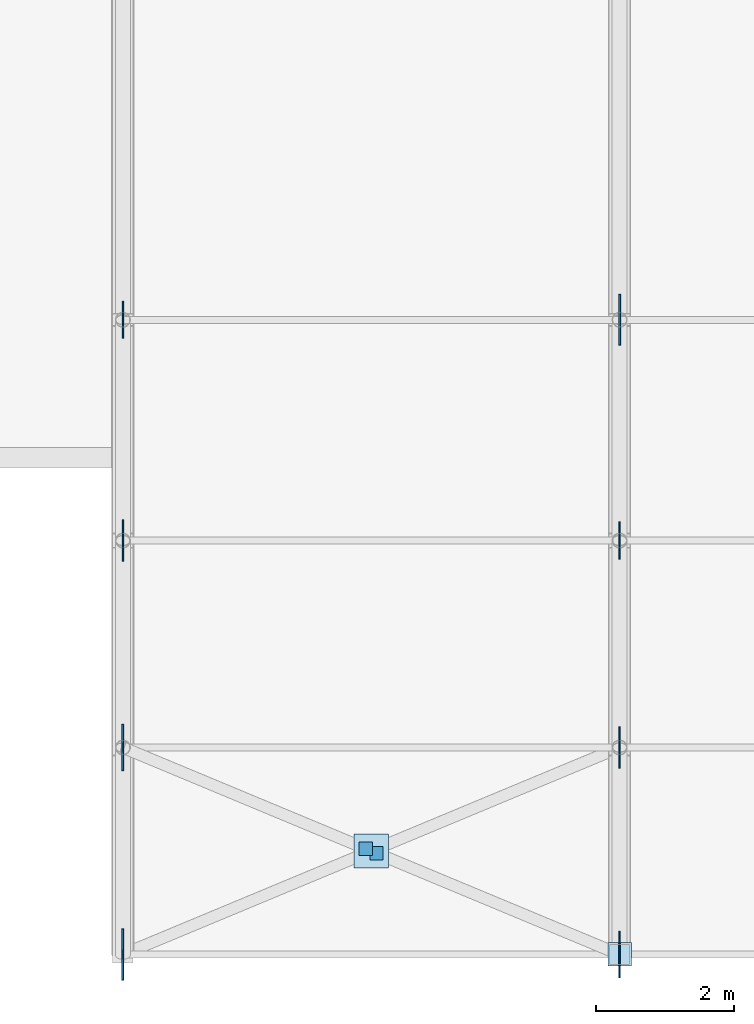
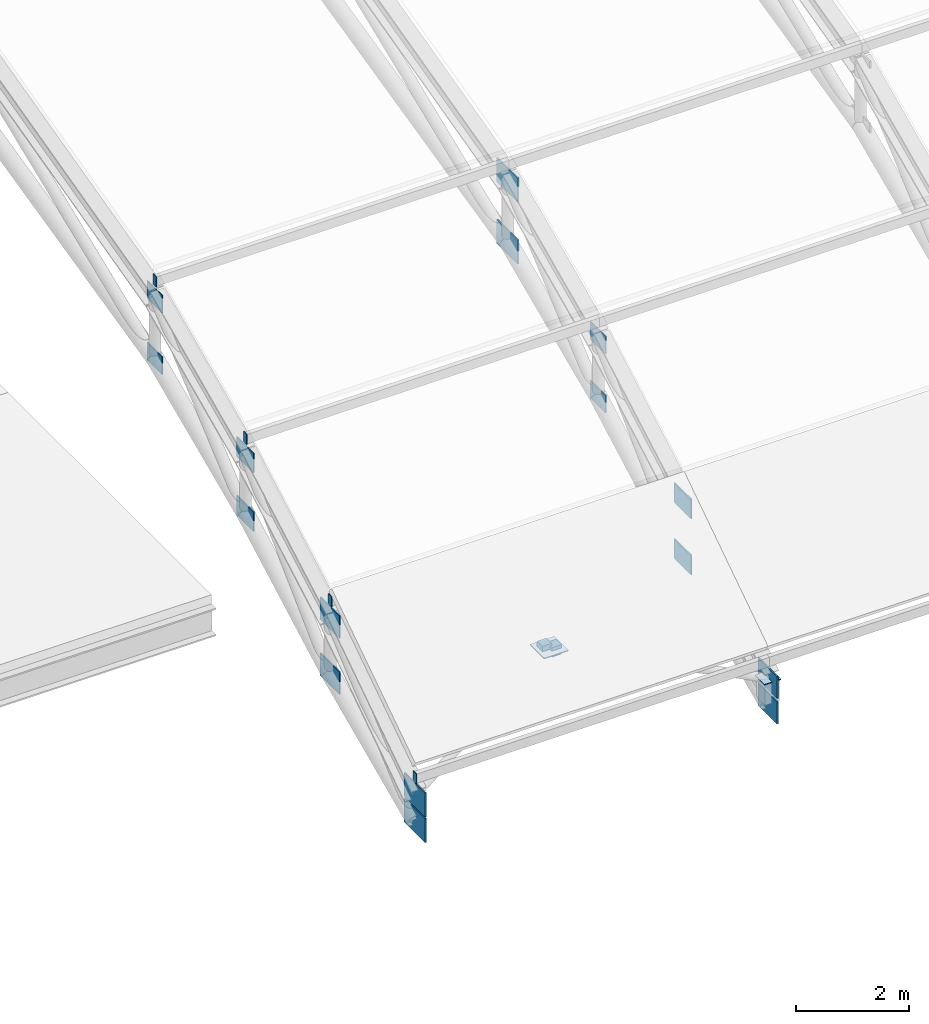
# One storey, part 43 of 63: 24 plates.
"""IFC4 building model written with IfcOpenShell, lengths in metres."""

import ifcopenshell
import ifcopenshell.guid

model = None  # the IFC model being written
_history = None  # IfcOwnerHistory: only IFC2X3 demands one
_inside = {}  # id of a spatial element -> (the spatial element, [elements in it])
_under = {}  # id of a project, library or spatial element -> (it, [spatial elements below it])
_declared = {}  # id of a project -> (the project, [libraries it declares])
_typed = {}  # id of a type object -> (the type object, [elements of that type])
_made_of = {}  # id of a material, layer set ... -> (it, [elements and type objects made of it])


def new_model(schema):
    """Start an empty IFC model of exactly this schema.

    Asked for "IFC4X3", IfcOpenShell would pick the latest addendum, in which some entities
    have other attributes; the version numbers below select the first issue.
    IFC2X3 requires an IfcOwnerHistory on every rooted entity: one is made here for all.
    """
    global model, _history
    if schema == "IFC4X3":
        model = ifcopenshell.file(schema_version=(4, 3, 0, 0))
    else:
        model = ifcopenshell.file(schema=schema)
    _inside.clear()
    _under.clear()
    _declared.clear()
    _typed.clear()
    _made_of.clear()
    _history = None
    if model.schema == "IFC2X3":
        org = make("IfcOrganization", Name="unknown")
        user = make(
            "IfcPersonAndOrganization",
            ThePerson=make("IfcPerson", FamilyName="unknown"),
            TheOrganization=org,
        )
        app = make(
            "IfcApplication",
            ApplicationDeveloper=org,
            Version="unknown",
            ApplicationFullName="unknown",
            ApplicationIdentifier="unknown",
        )
        _history = make(
            "IfcOwnerHistory",
            OwningUser=user,
            OwningApplication=app,
            ChangeAction="ADDED",
            CreationDate=0,
        )
    return model


def make(cls, **values):
    """One entity of the class cls with the attributes given. An attribute that is None is left unset."""
    return model.create_entity(
        cls, **{name: value for name, value in values.items() if value is not None}
    )


def rooted(cls, **values):
    """An entity with a GlobalId (a new one), such as an element, a storey or a relation."""
    return make(cls, GlobalId=ifcopenshell.guid.new(), OwnerHistory=_history, **values)


def si_unit(unit_type, name, prefix=None):
    """IfcSIUnit, for example si_unit("LENGTHUNIT", "METRE", prefix="MILLI")."""
    return make("IfcSIUnit", UnitType=unit_type, Prefix=prefix, Name=name)


def assignment(units):
    """IfcUnitAssignment: the units of a project."""
    return None if units is None else make("IfcUnitAssignment", Units=units)


def point(xyz):
    """IfcCartesianPoint."""
    return None if xyz is None else make("IfcCartesianPoint", Coordinates=xyz)


def direction(xyz):
    """IfcDirection."""
    return None if xyz is None else make("IfcDirection", DirectionRatios=xyz)


def frame(location, z_axis=None, x_axis=None):
    """IfcAxis2Placement3D, a coordinate frame: its origin and axes. An axis left out is left unset."""
    return make(
        "IfcAxis2Placement3D",
        Location=point(location),
        Axis=direction(z_axis),
        RefDirection=direction(x_axis),
    )


def frame_2d(location, x_axis=None):
    """IfcAxis2Placement2D, a coordinate frame in the plane: its origin and x axis."""
    return make(
        "IfcAxis2Placement2D", Location=point(location), RefDirection=direction(x_axis)
    )


def origin():
    """The frame at (0, 0, 0) with its axes left unset."""
    return frame((0.0, 0.0, 0.0))


def origin_2d():
    """The frame at (0, 0) in the plane with its x axis left unset."""
    return frame_2d((0.0, 0.0))


def place(relative_to, where):
    """IfcLocalPlacement: puts the frame where relative to a parent placement (None: the world)."""
    return make(
        "IfcLocalPlacement", PlacementRelTo=relative_to, RelativePlacement=where
    )


def context(
    kind, dimensions, precision=None, world=None, true_north=None, identifier=None
):
    """IfcGeometricRepresentationContext, for example the 3D "Model" context."""
    return make(
        "IfcGeometricRepresentationContext",
        ContextIdentifier=identifier,
        ContextType=kind,
        CoordinateSpaceDimension=dimensions,
        Precision=precision,
        WorldCoordinateSystem=world,
        TrueNorth=true_north,
    )


def subcontext(parent, identifier, kind, view, scale=None):
    """IfcGeometricRepresentationSubContext, for example "Body" below "Model"."""
    return make(
        "IfcGeometricRepresentationSubContext",
        ContextIdentifier=identifier,
        ContextType=kind,
        ParentContext=parent,
        TargetScale=scale,
        TargetView=view,
    )


def project(units=None, contexts=None):
    """IfcProject with its units and contexts."""
    return rooted(
        "IfcProject",
        Name="project",
        RepresentationContexts=contexts,
        UnitsInContext=assignment(units),
    )


def spatial(cls, under=None, at=None, **own):
    """A site, building, storey or space (cls), placed at a placement, below another one or the project."""
    s = rooted(cls, ObjectPlacement=at, **own)
    if under is not None:
        _under.setdefault(under.id(), (under, []))[1].append(s)
    return s


def profile(cls, at=None, kind="AREA", **sizes):
    """A parametric profile (cls). Its sizes go by their IFC names, for example OverallWidth=200.0."""
    return make(cls, ProfileType=kind, Position=at, **sizes)


def rectangle(**sizes):
    """IfcRectangleProfileDef."""
    return profile("IfcRectangleProfileDef", **sizes)


def extrude(swept, where, along, depth):
    """IfcExtrudedAreaSolid: the profile swept, set in the frame where, extruded along a direction by depth."""
    return make(
        "IfcExtrudedAreaSolid",
        SweptArea=swept,
        Position=where,
        ExtrudedDirection=direction(along),
        Depth=depth,
    )


def shape(context_of_items, identifier, shape_type, items):
    """IfcShapeRepresentation: the items that make up one representation, for example the "Body"."""
    return make(
        "IfcShapeRepresentation",
        ContextOfItems=context_of_items,
        RepresentationIdentifier=identifier,
        RepresentationType=shape_type,
        Items=items,
    )


def material(Name=None, Category=None):
    """IfcMaterial."""
    return make("IfcMaterial", Name=Name, Category=Category)


def layer(
    of_material, thickness, ventilated=None, Name=None, Category=None, Priority=None
):
    """IfcMaterialLayer: one layer of a wall or slab, of a material (None: an air gap)."""
    return make(
        "IfcMaterialLayer",
        Material=of_material,
        LayerThickness=thickness,
        IsVentilated=ventilated,
        Name=Name,
        Category=Category,
        Priority=Priority,
    )


def layer_set(layers, Name=None):
    """IfcMaterialLayerSet."""
    return make("IfcMaterialLayerSet", MaterialLayers=layers, LayerSetName=Name)


def made_of(thing, what):
    """Note that an element or type object is made of a material, layer set ...; save() writes the relation."""
    if what is not None:
        _made_of.setdefault(what.id(), (what, []))[1].append(thing)
    return thing


def type_object(cls, material=None, **own):
    """A type object (cls), such as IfcWallType, which elements share."""
    return made_of(rooted(cls, **own), material)


def element(
    cls,
    number,
    at=None,
    inside=None,
    cuts=None,
    type_object=None,
    material=None,
    context=None,
    identifier="Body",
    shape_type=None,
    held_by="IfcProductDefinitionShape",
    body=None,
    shapes=None,
    **own,
):
    """One element of the class cls, such as IfcWall. Its Tag is "e" and its number.

    at: its placement. inside: the storey or other place that contains it. cuts: it is an
    opening in that element (IfcRelVoidsElement). A single representation is given by context,
    identifier, shape_type and body (its items); several are given by shapes. held_by: the class
    of the entity that holds the representations. save() writes the other relations.
    """
    e = rooted(cls, Tag="e%d" % number, ObjectPlacement=at, **own)
    if body is not None:
        shapes = [shape(context, identifier, shape_type, body)]
    if shapes is not None:
        e.Representation = make(held_by, Representations=shapes)
    if inside is not None:
        _inside.setdefault(inside.id(), (inside, []))[1].append(e)
    if cuts is not None:
        rooted(
            "IfcRelVoidsElement", RelatingBuildingElement=cuts, RelatedOpeningElement=e
        )
    if type_object is not None:
        _typed.setdefault(type_object.id(), (type_object, []))[1].append(e)
    return made_of(e, material)


def aggregate(whole, parts):
    """IfcRelAggregates: a whole, such as a stair, and the parts it consists of."""
    return rooted("IfcRelAggregates", RelatingObject=whole, RelatedObjects=parts)


def save(model, path):
    """Write the relations noted so far, then the file.

    IfcRelAggregates (storeys below a building ...), IfcRelContainedInSpatialStructure (elements
    in a storey), IfcRelDefinesByType, IfcRelAssociatesMaterial and IfcRelDeclares: one each for
    every whole, place, type object, material and project.
    """
    for whole, parts in _under.values():
        aggregate(whole, parts)
    for where, things in _inside.values():
        rooted(
            "IfcRelContainedInSpatialStructure",
            RelatedElements=things,
            RelatingStructure=where,
        )
    for kind, things in _typed.values():
        rooted("IfcRelDefinesByType", RelatedObjects=things, RelatingType=kind)
    for what, things in _made_of.values():
        rooted("IfcRelAssociatesMaterial", RelatedObjects=things, RelatingMaterial=what)
    for by, libraries in _declared.values():
        rooted("IfcRelDeclares", RelatingContext=by, RelatedDefinitions=libraries)
    model.write(path)


model = new_model("IFC4")

# Units and contexts
model_context = context("Model", 3, precision=1e-05, world=origin(), true_north=direction((0.0, 1.0)))
body_context = subcontext(model_context, "Body", "Model", "MODEL_VIEW")
ifc_project = project(units=[si_unit("LENGTHUNIT", "METRE"), si_unit("AREAUNIT", "SQUARE_METRE"), si_unit("VOLUMEUNIT", "CUBIC_METRE"), si_unit("PLANEANGLEUNIT", "RADIAN"), si_unit("MASSUNIT", "GRAM", prefix="KILO")], contexts=[model_context])

# Site, building, storey
site_placement = place(None, origin())
site = spatial("IfcSite", under=ifc_project, at=site_placement, CompositionType="ELEMENT")
building_placement = place(site_placement, origin())
building = spatial("IfcBuilding", under=site, at=building_placement, Name="Solvadek Multi-Sports Hall", CompositionType="ELEMENT")
storey_placement = place(building_placement, frame((0.0, 0.0, 19.199951171875)))
storey = spatial("IfcBuildingStorey", under=building, at=storey_placement, Name="RF", CompositionType="ELEMENT", Elevation=19.199951171875)

# Plates
ifc_material = material(Name="Steel E350 (350 MPa)", Category="steel")
ifc_layer_1 = layer(ifc_material, 0.01611328125, Name="Steel E350 (350 MPa)")
ifc_layer_set_1 = layer_set([ifc_layer_1], Name="Steel E350 (350 MPa)")
plate_type_1 = type_object("IfcPlateType", Name="STR-PLT-CAP16", PredefinedType="USERDEFINED", material=ifc_layer_set_1)
for number, where, z_axis, x_axis, name in (
    (1, (86.39599609375, 6.0, -3.28515625), (0.0, 0.0, 1.0), (1.0, 0.0, 0.0), "V1 Purlin End Cap Plate #1"),
    (2, (86.39599609375, 9.0, -1.28125), (0.0, 0.0, 1.0), (1.0, 0.0, 0.0), "V1 Purlin End Cap Plate #2"),
    (3, (86.39599609375, 12.0, 0.40234375), (0.0, 0.0, 1.0), (1.0, 0.0, 0.0), "V1 Purlin End Cap Plate #3"),
    (4, (86.39599609375, 15.199951171875, 1.86083984375), (0.0, 0.0, 1.0), (1.0, 0.0, 0.0), "V1 Purlin End Cap Plate #4"),
):
    element("IfcPlate", number, at=place(storey_placement, frame(where, z_axis=z_axis, x_axis=x_axis)), inside=storey, type_object=plate_type_1, Name=name, ObjectType="BASE_PLATE", PredefinedType="USERDEFINED", context=body_context, shape_type="SweptSolid", body=[
        extrude(rectangle(XDim=0.01611328125, YDim=0.1201171875, at=origin_2d()), origin(), (0.0, 0.0, 1.0), 0.219970703125),
    ])
for number, where, z_axis, x_axis, name in (
    (5, (89.92138671875, 7.53271484375, -2.630859375), (0.0, 0.0, 1.0), (1.0, 0.0, 0.0), "V1 Half-Brace End Cap #10"),
    (6, (90.07861328125, 7.46728515625, -2.6748046875), (0.0, 0.0, 1.0), (1.0, 0.0, 0.0), "V1 Half-Brace End Cap #11"),
):
    element("IfcPlate", number, at=place(storey_placement, frame(where, z_axis=z_axis, x_axis=x_axis)), inside=storey, type_object=plate_type_1, Name=name, ObjectType="BASE_PLATE", PredefinedType="USERDEFINED", context=body_context, shape_type="SweptSolid", body=[
        extrude(rectangle(XDim=0.18994140625, YDim=0.18994140625, at=origin_2d()), origin(), (0.0, 0.0, 1.0), 0.2099609375),
    ])
ifc_layer_2 = layer(ifc_material, 0.02001953125, Name="Steel E350 (350 MPa)")
ifc_layer_set_2 = layer_set([ifc_layer_2], Name="Steel E350 (350 MPa)")
plate_type_2 = type_object("IfcPlateType", Name="STR-PLT-CAP340", PredefinedType="USERDEFINED", material=ifc_layer_set_2)
plate_1_placement = place(storey_placement, frame((93.60009765625, 6.0, -3.550048828125), z_axis=(0.0, 0.0, 1.0), x_axis=(1.0, 0.0, 0.0)))
element("IfcPlate", 7, at=plate_1_placement, inside=storey, type_object=plate_type_2, Name="v1 Bearing Post Cap #2.0", ObjectType="BASE_PLATE", PredefinedType="USERDEFINED", context=body_context, shape_type="SweptSolid", body=[
    extrude(rectangle(XDim=0.340087890625, YDim=0.340087890625, at=origin_2d()), origin(), (0.0, 0.0, 1.0), 0.02001953125),
])
ifc_layer_3 = layer(ifc_material, 0.02001953125, Name="Steel E350 (350 MPa)")
ifc_layer_set_3 = layer_set([ifc_layer_3], Name="Steel E350 (350 MPa)")
plate_type_3 = type_object("IfcPlateType", Name="STR-PLT-GP20", PredefinedType="USERDEFINED", material=ifc_layer_set_3)
plate_2_placement = place(storey_placement, frame((90.0, 7.5, -2.557861328125), z_axis=(0.0, 0.0, 1.0), x_axis=(1.0, 0.0, 0.0)))
element("IfcPlate", 8, at=plate_2_placement, inside=storey, type_object=plate_type_3, Name="V1 Roof X-Brace Crossing Gusset #145", ObjectType="GUSSET_PLATE", PredefinedType="USERDEFINED", context=body_context, shape_type="SweptSolid", body=[
    extrude(rectangle(XDim=0.5, YDim=0.5, at=origin_2d()), origin(), (0.0, 0.0, 1.0), 0.02001953125),
])
ifc_layer_4 = layer(ifc_material, 0.02197265625, Name="Steel E350 (350 MPa)")
ifc_layer_set_4 = layer_set([ifc_layer_4], Name="Steel E350 (350 MPa)")
plate_type_4 = type_object("IfcPlateType", Name="STR-PLT-GUS540", PredefinedType="USERDEFINED", material=ifc_layer_set_4)
for number, where, z_axis, x_axis, name in (
    (9, (86.39990234375, 15.199951171875, 1.42919921875), (0.0, 0.0, 1.0), (0.0, 1.0, 0.0), "V1 Truss Top Gusset Plate #7"),
    (10, (86.39990234375, 15.199951171875, 0.10009765625), (0.0, 0.0, 1.0), (0.0, 1.0, 0.0), "V1 Truss Bottom Gusset Plate #8"),
    (11, (93.60009765625, 12.0, -0.039794921875), (0.0, 0.0, 1.0), (0.0, 1.0, 0.0), "V1 Truss Top Gusset Plate #23"),
    (12, (93.60009765625, 12.0, -1.306640625), (0.0, 0.0, 1.0), (0.0, 1.0, 0.0), "V1 Truss Bottom Gusset Plate #24"),
):
    element("IfcPlate", number, at=place(storey_placement, frame(where, z_axis=z_axis, x_axis=x_axis)), inside=storey, type_object=plate_type_4, Name=name, ObjectType="GUSSET_PLATE", PredefinedType="USERDEFINED", context=body_context, shape_type="SweptSolid", body=[
        extrude(rectangle(XDim=0.5400390625, YDim=0.02197265625, at=origin_2d()), origin(), (0.0, 0.0, 1.0), 0.3798828125),
    ])
ifc_layer_5 = layer(ifc_material, 0.02392578125, Name="Steel E350 (350 MPa)")
ifc_layer_set_5 = layer_set([ifc_layer_5], Name="Steel E350 (350 MPa)")
plate_type_5 = type_object("IfcPlateType", Name="STR-PLT-GUS600", PredefinedType="USERDEFINED", material=ifc_layer_set_5)
for number, where, z_axis, x_axis, name in (
    (13, (86.39990234375, 12.0, -0.059814453125), (0.0, 0.0, 1.0), (0.0, 1.0, 0.0), "V1 Truss Top Gusset Plate #5"),
    (14, (86.39990234375, 12.0, -1.32666015625), (0.0, 0.0, 1.0), (0.0, 1.0, 0.0), "V1 Truss Bottom Gusset Plate #6"),
    (15, (93.60009765625, 9.0, -1.755615234375), (0.0, 0.0, 1.0), (0.0, 1.0, 0.0), "V1 Truss Top Gusset Plate #21"),
    (16, (93.60009765625, 9.0, -2.964111328125), (0.0, 0.0, 1.0), (0.0, 1.0, 0.0), "V1 Truss Bottom Gusset Plate #22"),
):
    element("IfcPlate", number, at=place(storey_placement, frame(where, z_axis=z_axis, x_axis=x_axis)), inside=storey, type_object=plate_type_5, Name=name, ObjectType="GUSSET_PLATE", PredefinedType="USERDEFINED", context=body_context, shape_type="SweptSolid", body=[
        extrude(rectangle(XDim=0.60009765625, YDim=0.02392578125, at=origin_2d()), origin(), (0.0, 0.0, 1.0), 0.419921875),
    ])
ifc_layer_6 = layer(ifc_material, 0.02587890625, Name="Steel E350 (350 MPa)")
ifc_layer_set_6 = layer_set([ifc_layer_6], Name="Steel E350 (350 MPa)")
plate_type_6 = type_object("IfcPlateType", Name="STR-PLT-GUS680", PredefinedType="USERDEFINED", material=ifc_layer_set_6)
for number, where, z_axis, x_axis, name in (
    (17, (86.39990234375, 9.0, -1.78564453125), (0.0, 0.0, 1.0), (0.0, 1.0, 0.0), "V1 Truss Top Gusset Plate #3"),
    (18, (86.39990234375, 9.0, -2.994140625), (0.0, 0.0, 1.0), (0.0, 1.0, 0.0), "V1 Truss Bottom Gusset Plate #4"),
    (19, (93.60009765625, 6.0, -3.7900390625), (0.0, 0.0, 1.0), (0.0, 1.0, 0.0), "V1 Truss Top Gusset Plate #19"),
    (20, (93.60009765625, 6.0, -4.33984375), (0.0, 0.0, 1.0), (0.0, 1.0, 0.0), "V1 Truss Bottom Gusset Plate #20"),
):
    element("IfcPlate", number, at=place(storey_placement, frame(where, z_axis=z_axis, x_axis=x_axis)), inside=storey, type_object=plate_type_6, Name=name, ObjectType="GUSSET_PLATE", PredefinedType="USERDEFINED", context=body_context, shape_type="SweptSolid", body=[
        extrude(rectangle(XDim=0.679931640625, YDim=0.02587890625, at=origin_2d()), origin(), (0.0, 0.0, 1.0), 0.47998046875),
    ])
ifc_layer_7 = layer(ifc_material, 0.028076171875, Name="Steel E350 (350 MPa)")
ifc_layer_set_7 = layer_set([ifc_layer_7], Name="Steel E350 (350 MPa)")
plate_type_7 = type_object("IfcPlateType", Name="STR-PLT-GUS740", PredefinedType="USERDEFINED", material=ifc_layer_set_7)
for number, where, z_axis, x_axis, name in (
    (21, (86.39990234375, 6.0, -3.81005859375), (0.0, 0.0, 1.0), (0.0, 1.0, 0.0), "V1 Truss Top Gusset Plate #1"),
    (22, (86.39990234375, 6.0, -4.35986328125), (0.0, 0.0, 1.0), (0.0, 1.0, 0.0), "V1 Truss Bottom Gusset Plate #2"),
    (23, (93.60009765625, 15.199951171875, 1.359130859375), (0.0, 0.0, 1.0), (0.0, 1.0, 0.0), "V1 Truss Top Gusset Plate #25"),
    (24, (93.60009765625, 15.199951171875, 0.030029296875), (0.0, 0.0, 1.0), (0.0, 1.0, 0.0), "V1 Truss Bottom Gusset Plate #26"),
):
    element("IfcPlate", number, at=place(storey_placement, frame(where, z_axis=z_axis, x_axis=x_axis)), inside=storey, type_object=plate_type_7, Name=name, ObjectType="GUSSET_PLATE", PredefinedType="USERDEFINED", context=body_context, shape_type="SweptSolid", body=[
        extrude(rectangle(XDim=0.739990234375, YDim=0.028076171875, at=origin_2d()), origin(), (0.0, 0.0, 1.0), 0.52001953125),
    ])

save(model, "model.ifc")
